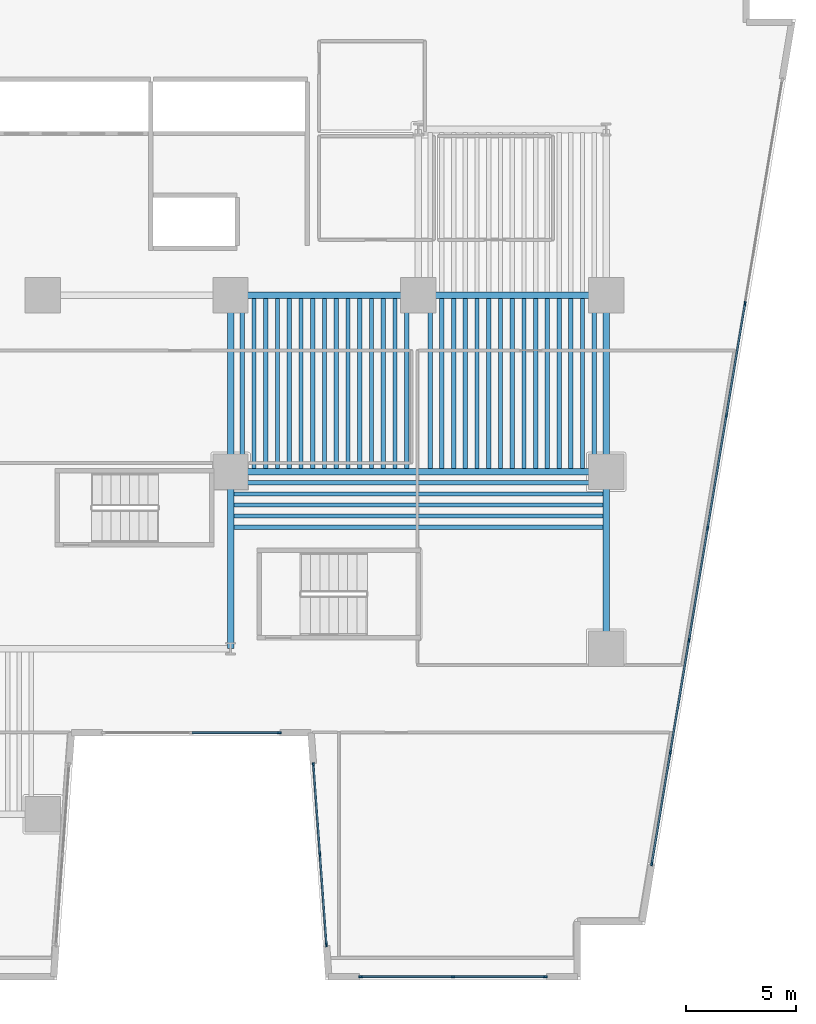
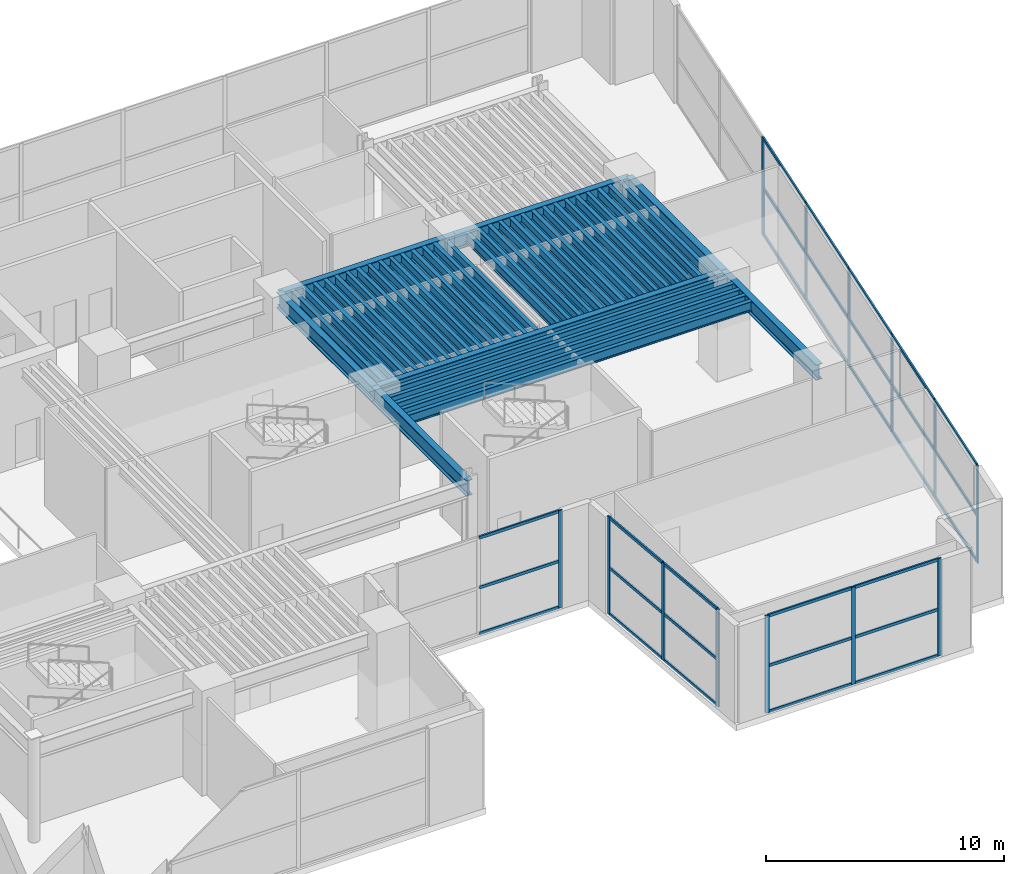
# One storey, part 4 of 16: 43 members, 42 beams, 4 elements without a shape of their own.
"""IFC4 building model written with IfcOpenShell, lengths in metres."""

import ifcopenshell
import ifcopenshell.guid

model = None  # the IFC model being written
_history = None  # IfcOwnerHistory: only IFC2X3 demands one
_inside = {}  # id of a spatial element -> (the spatial element, [elements in it])
_under = {}  # id of a project, library or spatial element -> (it, [spatial elements below it])
_declared = {}  # id of a project -> (the project, [libraries it declares])
_typed = {}  # id of a type object -> (the type object, [elements of that type])
_made_of = {}  # id of a material, layer set ... -> (it, [elements and type objects made of it])


def new_model(schema):
    """Start an empty IFC model of exactly this schema.

    Asked for "IFC4X3", IfcOpenShell would pick the latest addendum, in which some entities
    have other attributes; the version numbers below select the first issue.
    IFC2X3 requires an IfcOwnerHistory on every rooted entity: one is made here for all.
    """
    global model, _history
    if schema == "IFC4X3":
        model = ifcopenshell.file(schema_version=(4, 3, 0, 0))
    else:
        model = ifcopenshell.file(schema=schema)
    _inside.clear()
    _under.clear()
    _declared.clear()
    _typed.clear()
    _made_of.clear()
    _history = None
    if model.schema == "IFC2X3":
        org = make("IfcOrganization", Name="unknown")
        user = make(
            "IfcPersonAndOrganization",
            ThePerson=make("IfcPerson", FamilyName="unknown"),
            TheOrganization=org,
        )
        app = make(
            "IfcApplication",
            ApplicationDeveloper=org,
            Version="unknown",
            ApplicationFullName="unknown",
            ApplicationIdentifier="unknown",
        )
        _history = make(
            "IfcOwnerHistory",
            OwningUser=user,
            OwningApplication=app,
            ChangeAction="ADDED",
            CreationDate=0,
        )
    return model


def make(cls, **values):
    """One entity of the class cls with the attributes given. An attribute that is None is left unset."""
    return model.create_entity(
        cls, **{name: value for name, value in values.items() if value is not None}
    )


def rooted(cls, **values):
    """An entity with a GlobalId (a new one), such as an element, a storey or a relation."""
    return make(cls, GlobalId=ifcopenshell.guid.new(), OwnerHistory=_history, **values)


def si_unit(unit_type, name, prefix=None):
    """IfcSIUnit, for example si_unit("LENGTHUNIT", "METRE", prefix="MILLI")."""
    return make("IfcSIUnit", UnitType=unit_type, Prefix=prefix, Name=name)


def assignment(units):
    """IfcUnitAssignment: the units of a project."""
    return None if units is None else make("IfcUnitAssignment", Units=units)


def point(xyz):
    """IfcCartesianPoint."""
    return None if xyz is None else make("IfcCartesianPoint", Coordinates=xyz)


def direction(xyz):
    """IfcDirection."""
    return None if xyz is None else make("IfcDirection", DirectionRatios=xyz)


def frame(location, z_axis=None, x_axis=None):
    """IfcAxis2Placement3D, a coordinate frame: its origin and axes. An axis left out is left unset."""
    return make(
        "IfcAxis2Placement3D",
        Location=point(location),
        Axis=direction(z_axis),
        RefDirection=direction(x_axis),
    )


def frame_2d(location, x_axis=None):
    """IfcAxis2Placement2D, a coordinate frame in the plane: its origin and x axis."""
    return make(
        "IfcAxis2Placement2D", Location=point(location), RefDirection=direction(x_axis)
    )


def origin():
    """The frame at (0, 0, 0) with its axes left unset."""
    return frame((0.0, 0.0, 0.0))


def origin_2d():
    """The frame at (0, 0) in the plane with its x axis left unset."""
    return frame_2d((0.0, 0.0))


def place(relative_to, where):
    """IfcLocalPlacement: puts the frame where relative to a parent placement (None: the world)."""
    return make(
        "IfcLocalPlacement", PlacementRelTo=relative_to, RelativePlacement=where
    )


def context(
    kind, dimensions, precision=None, world=None, true_north=None, identifier=None
):
    """IfcGeometricRepresentationContext, for example the 3D "Model" context."""
    return make(
        "IfcGeometricRepresentationContext",
        ContextIdentifier=identifier,
        ContextType=kind,
        CoordinateSpaceDimension=dimensions,
        Precision=precision,
        WorldCoordinateSystem=world,
        TrueNorth=true_north,
    )


def subcontext(parent, identifier, kind, view, scale=None):
    """IfcGeometricRepresentationSubContext, for example "Body" below "Model"."""
    return make(
        "IfcGeometricRepresentationSubContext",
        ContextIdentifier=identifier,
        ContextType=kind,
        ParentContext=parent,
        TargetScale=scale,
        TargetView=view,
    )


def project(units=None, contexts=None):
    """IfcProject with its units and contexts."""
    return rooted(
        "IfcProject",
        Name="project",
        RepresentationContexts=contexts,
        UnitsInContext=assignment(units),
    )


def spatial(cls, under=None, at=None, **own):
    """A site, building, storey or space (cls), placed at a placement, below another one or the project."""
    s = rooted(cls, ObjectPlacement=at, **own)
    if under is not None:
        _under.setdefault(under.id(), (under, []))[1].append(s)
    return s


def profile(cls, at=None, kind="AREA", **sizes):
    """A parametric profile (cls). Its sizes go by their IFC names, for example OverallWidth=200.0."""
    return make(cls, ProfileType=kind, Position=at, **sizes)


def rectangle(**sizes):
    """IfcRectangleProfileDef."""
    return profile("IfcRectangleProfileDef", **sizes)


def i_section(**sizes):
    """IfcIShapeProfileDef."""
    return profile("IfcIShapeProfileDef", **sizes)


def extrude(swept, where, along, depth):
    """IfcExtrudedAreaSolid: the profile swept, set in the frame where, extruded along a direction by depth."""
    return make(
        "IfcExtrudedAreaSolid",
        SweptArea=swept,
        Position=where,
        ExtrudedDirection=direction(along),
        Depth=depth,
    )


def shape(context_of_items, identifier, shape_type, items):
    """IfcShapeRepresentation: the items that make up one representation, for example the "Body"."""
    return make(
        "IfcShapeRepresentation",
        ContextOfItems=context_of_items,
        RepresentationIdentifier=identifier,
        RepresentationType=shape_type,
        Items=items,
    )


def material(Name=None, Category=None):
    """IfcMaterial."""
    return make("IfcMaterial", Name=Name, Category=Category)


def layer(
    of_material, thickness, ventilated=None, Name=None, Category=None, Priority=None
):
    """IfcMaterialLayer: one layer of a wall or slab, of a material (None: an air gap)."""
    return make(
        "IfcMaterialLayer",
        Material=of_material,
        LayerThickness=thickness,
        IsVentilated=ventilated,
        Name=Name,
        Category=Category,
        Priority=Priority,
    )


def layer_set(layers, Name=None):
    """IfcMaterialLayerSet."""
    return make("IfcMaterialLayerSet", MaterialLayers=layers, LayerSetName=Name)


def material_profile(
    of_material, cross_section, Name=None, Category=None, Priority=None
):
    """IfcMaterialProfile: a cross section and its material."""
    return make(
        "IfcMaterialProfile",
        Name=Name,
        Material=of_material,
        Profile=cross_section,
        Priority=Priority,
        Category=Category,
    )


def profile_set(profiles, Name=None, composite=None):
    """IfcMaterialProfileSet."""
    return make(
        "IfcMaterialProfileSet",
        Name=Name,
        MaterialProfiles=profiles,
        CompositeProfile=composite,
    )


def made_of(thing, what):
    """Note that an element or type object is made of a material, layer set ...; save() writes the relation."""
    if what is not None:
        _made_of.setdefault(what.id(), (what, []))[1].append(thing)
    return thing


def type_object(cls, material=None, **own):
    """A type object (cls), such as IfcWallType, which elements share."""
    return made_of(rooted(cls, **own), material)


def element(
    cls,
    number,
    at=None,
    inside=None,
    cuts=None,
    type_object=None,
    material=None,
    context=None,
    identifier="Body",
    shape_type=None,
    held_by="IfcProductDefinitionShape",
    body=None,
    shapes=None,
    **own,
):
    """One element of the class cls, such as IfcWall. Its Tag is "e" and its number.

    at: its placement. inside: the storey or other place that contains it. cuts: it is an
    opening in that element (IfcRelVoidsElement). A single representation is given by context,
    identifier, shape_type and body (its items); several are given by shapes. held_by: the class
    of the entity that holds the representations. save() writes the other relations.
    """
    e = rooted(cls, Tag="e%d" % number, ObjectPlacement=at, **own)
    if body is not None:
        shapes = [shape(context, identifier, shape_type, body)]
    if shapes is not None:
        e.Representation = make(held_by, Representations=shapes)
    if inside is not None:
        _inside.setdefault(inside.id(), (inside, []))[1].append(e)
    if cuts is not None:
        rooted(
            "IfcRelVoidsElement", RelatingBuildingElement=cuts, RelatedOpeningElement=e
        )
    if type_object is not None:
        _typed.setdefault(type_object.id(), (type_object, []))[1].append(e)
    return made_of(e, material)


def aggregate(whole, parts):
    """IfcRelAggregates: a whole, such as a stair, and the parts it consists of."""
    return rooted("IfcRelAggregates", RelatingObject=whole, RelatedObjects=parts)


def save(model, path):
    """Write the relations noted so far, then the file.

    IfcRelAggregates (storeys below a building ...), IfcRelContainedInSpatialStructure (elements
    in a storey), IfcRelDefinesByType, IfcRelAssociatesMaterial and IfcRelDeclares: one each for
    every whole, place, type object, material and project.
    """
    for whole, parts in _under.values():
        aggregate(whole, parts)
    for where, things in _inside.values():
        rooted(
            "IfcRelContainedInSpatialStructure",
            RelatedElements=things,
            RelatingStructure=where,
        )
    for kind, things in _typed.values():
        rooted("IfcRelDefinesByType", RelatedObjects=things, RelatingType=kind)
    for what, things in _made_of.values():
        rooted("IfcRelAssociatesMaterial", RelatedObjects=things, RelatingMaterial=what)
    for by, libraries in _declared.values():
        rooted("IfcRelDeclares", RelatingContext=by, RelatedDefinitions=libraries)
    model.write(path)


model = new_model("IFC4")

# Units and contexts
model_context = context("Model", 3, precision=1e-05, world=origin(), true_north=direction((0.0, 1.0)))
body_context = subcontext(model_context, "Body", "Model", "MODEL_VIEW")
ifc_project = project(units=[si_unit("LENGTHUNIT", "METRE"), si_unit("AREAUNIT", "SQUARE_METRE"), si_unit("VOLUMEUNIT", "CUBIC_METRE"), si_unit("PLANEANGLEUNIT", "RADIAN"), si_unit("MASSUNIT", "GRAM", prefix="KILO")], contexts=[model_context])

# Site, building, storey
site_placement = place(None, origin())
site = spatial("IfcSite", under=ifc_project, at=site_placement, CompositionType="ELEMENT")
building_placement = place(site_placement, origin())
building = spatial("IfcBuilding", under=site, at=building_placement, Name="Caeloran Harvest Quay", CompositionType="ELEMENT")
storey_placement = place(building_placement, frame((0.0, 0.0, 16.199951171875)))
storey = spatial("IfcBuildingStorey", under=building, at=storey_placement, Name="L04", CompositionType="ELEMENT", Elevation=16.199951171875)

# Beams
ifc_material_1 = material(Name="Steel S355J2", Category="steel")
ifc_material_profile_1 = material_profile(ifc_material_1, i_section(OverallWidth=0.300048828125, OverallDepth=0.800048828125, WebThickness=0.017578125, FlangeThickness=0.032958984375, FilletRadius=0.030029296875, at=origin_2d()), Name="HE 800 B")
ifc_profile_set_1 = profile_set([ifc_material_profile_1], Name="Steel S355J2")
beam_type_1 = type_object("IfcBeamType", Name="BM-PG-1-HE_800_B", PredefinedType="BEAM", material=ifc_profile_set_1)
beam_placement = place(storey_placement, frame((34.0, 23.0, 4.60009765625), z_axis=(1.0, 0.0, 0.0), x_axis=(0.0, 1.0, 0.0)))
element("IfcBeam", 1, at=beam_placement, inside=storey, type_object=beam_type_1, Name="L04 Primary East-West Girder Y=23.0", PredefinedType="BEAM", context=body_context, shape_type="SweptSolid", body=[
    extrude(i_section(OverallWidth=0.300048828125, OverallDepth=0.800048828125, WebThickness=0.017578125, FlangeThickness=0.032958984375, FilletRadius=0.030029296875, at=origin_2d()), origin(), (0.0, 0.0, 1.0), 17.0),
])
for number, where, z_axis, x_axis, name in (
    (2, (34.0, 31.0, 4.60009765625), (1.0, 0.0, 0.0), (0.0, 1.0, 0.0), "L04 Primary East-West Girder Y=31.0"),
    (3, (42.5, 31.0, 4.60009765625), (1.0, 0.0, 0.0), (0.0, 1.0, 0.0), "L04 Primary East-West Girder Y=31.0"),
):
    element("IfcBeam", number, at=place(storey_placement, frame(where, z_axis=z_axis, x_axis=x_axis)), inside=storey, type_object=beam_type_1, Name=name, PredefinedType="BEAM", context=body_context, shape_type="SweptSolid", body=[
        extrude(i_section(OverallWidth=0.300048828125, OverallDepth=0.800048828125, WebThickness=0.017578125, FlangeThickness=0.032958984375, FilletRadius=0.030029296875, at=origin_2d()), origin(), (0.0, 0.0, 1.0), 8.5),
    ])
for number, where, z_axis, x_axis, name in (
    (4, (34.0, 15.0, 4.60009765625), (0.0, 1.0, 0.0), (-1.0, 0.0, 0.0), "L04 Primary North-South Girder X=34.0"),
    (5, (34.0, 23.0, 4.60009765625), (0.0, 1.0, 0.0), (-1.0, 0.0, 0.0), "L04 Primary North-South Girder X=34.0"),
    (6, (51.0, 15.0, 4.60009765625), (0.0, 1.0, 0.0), (-1.0, 0.0, 0.0), "L04 Primary North-South Girder X=51.0"),
    (7, (51.0, 23.0, 4.60009765625), (0.0, 1.0, 0.0), (-1.0, 0.0, 0.0), "L04 Primary North-South Girder X=51.0"),
):
    element("IfcBeam", number, at=place(storey_placement, frame(where, z_axis=z_axis, x_axis=x_axis)), inside=storey, type_object=beam_type_1, Name=name, PredefinedType="BEAM", context=body_context, shape_type="SweptSolid", body=[
        extrude(i_section(OverallWidth=0.300048828125, OverallDepth=0.800048828125, WebThickness=0.017578125, FlangeThickness=0.032958984375, FilletRadius=0.030029296875, at=origin_2d()), origin(), (0.0, 0.0, 1.0), 8.0),
    ])
ifc_material_profile_2 = material_profile(ifc_material_1, i_section(OverallWidth=0.199951171875, OverallDepth=0.5, WebThickness=0.01025390625, FlangeThickness=0.01611328125, FilletRadius=0.02099609375, at=origin_2d()), Name="IPE 500")
ifc_profile_set_2 = profile_set([ifc_material_profile_2], Name="Steel S355J2")
beam_type_2 = type_object("IfcBeamType", Name="BM-SB-2-IPE_500", PredefinedType="JOIST", material=ifc_profile_set_2)
for number, where, z_axis, x_axis, name in (
    (8, (34.53125, 23.14501953125, 4.75), (0.0, 1.0, 0.0), (-1.0, 0.0, 0.0), "L04 Secondary Composite Joist"),
    (9, (35.59375, 23.14501953125, 4.75), (0.0, 1.0, 0.0), (-1.0, 0.0, 0.0), "L04 Secondary Composite Joist"),
    (10, (36.65625, 23.14501953125, 4.75), (0.0, 1.0, 0.0), (-1.0, 0.0, 0.0), "L04 Secondary Composite Joist"),
    (11, (37.71875, 23.14501953125, 4.75), (0.0, 1.0, 0.0), (-1.0, 0.0, 0.0), "L04 Secondary Composite Joist"),
    (12, (38.78125, 23.14501953125, 4.75), (0.0, 1.0, 0.0), (-1.0, 0.0, 0.0), "L04 Secondary Composite Joist"),
    (13, (39.84375, 23.14501953125, 4.75), (0.0, 1.0, 0.0), (-1.0, 0.0, 0.0), "L04 Secondary Composite Joist"),
    (14, (40.90625, 23.14501953125, 4.75), (0.0, 1.0, 0.0), (-1.0, 0.0, 0.0), "L04 Secondary Composite Joist"),
    (15, (41.96875, 23.14501953125, 4.75), (0.0, 1.0, 0.0), (-1.0, 0.0, 0.0), "L04 Secondary Composite Joist"),
    (16, (43.03125, 23.14501953125, 4.75), (0.0, 1.0, 0.0), (-1.0, 0.0, 0.0), "L04 Secondary Composite Joist"),
    (17, (44.09375, 23.14501953125, 4.75), (0.0, 1.0, 0.0), (-1.0, 0.0, 0.0), "L04 Secondary Composite Joist"),
    (18, (45.15625, 23.14501953125, 4.75), (0.0, 1.0, 0.0), (-1.0, 0.0, 0.0), "L04 Secondary Composite Joist"),
    (19, (46.21875, 23.14501953125, 4.75), (0.0, 1.0, 0.0), (-1.0, 0.0, 0.0), "L04 Secondary Composite Joist"),
    (20, (47.28125, 23.14501953125, 4.75), (0.0, 1.0, 0.0), (-1.0, 0.0, 0.0), "L04 Secondary Composite Joist"),
    (21, (48.34375, 23.14501953125, 4.75), (0.0, 1.0, 0.0), (-1.0, 0.0, 0.0), "L04 Secondary Composite Joist"),
    (22, (49.40625, 23.14501953125, 4.75), (0.0, 1.0, 0.0), (-1.0, 0.0, 0.0), "L04 Secondary Composite Joist"),
    (23, (50.46875, 23.14501953125, 4.75), (0.0, 1.0, 0.0), (-1.0, 0.0, 0.0), "L04 Secondary Composite Joist"),
):
    element("IfcBeam", number, at=place(storey_placement, frame(where, z_axis=z_axis, x_axis=x_axis)), inside=storey, type_object=beam_type_2, Name=name, PredefinedType="JOIST", context=body_context, shape_type="SweptSolid", body=[
        extrude(i_section(OverallWidth=0.199951171875, OverallDepth=0.5, WebThickness=0.01025390625, FlangeThickness=0.01611328125, FilletRadius=0.02099609375, at=origin_2d()), origin(), (0.0, 0.0, 1.0), 7.7099609375),
    ])
for number, where, z_axis, x_axis, name in (
    (24, (34.14501953125, 20.5, 4.75), (1.0, 0.0, 0.0), (0.0, 1.0, 0.0), "L04 Secondary East-West Composite Joist"),
    (25, (34.14501953125, 21.5, 4.75), (1.0, 0.0, 0.0), (0.0, 1.0, 0.0), "L04 Secondary East-West Composite Joist"),
    (26, (34.14501953125, 22.5, 4.75), (1.0, 0.0, 0.0), (0.0, 1.0, 0.0), "L04 Secondary East-West Composite Joist"),
):
    element("IfcBeam", number, at=place(storey_placement, frame(where, z_axis=z_axis, x_axis=x_axis)), inside=storey, type_object=beam_type_2, Name=name, PredefinedType="JOIST", context=body_context, shape_type="SweptSolid", body=[
        extrude(i_section(OverallWidth=0.199951171875, OverallDepth=0.5, WebThickness=0.01025390625, FlangeThickness=0.01611328125, FilletRadius=0.02099609375, at=origin_2d()), origin(), (0.0, 0.0, 1.0), 16.7099609375),
    ])
ifc_material_profile_3 = material_profile(ifc_material_1, i_section(OverallWidth=0.18994140625, OverallDepth=0.449951171875, WebThickness=0.009521484375, FlangeThickness=0.0146484375, FilletRadius=0.02099609375, at=origin_2d()), Name="IPE 450")
ifc_profile_set_3 = profile_set([ifc_material_profile_3], Name="Steel S355J2")
beam_type_3 = type_object("IfcBeamType", Name="BM-SB-3-IPE_450", PredefinedType="JOIST", material=ifc_profile_set_3)
for number, where, z_axis, x_axis, name in (
    (27, (35.0625, 23.14501953125, 4.775146484375), (0.0, 1.0, 0.0), (-1.0, 0.0, 0.0), "L04 Secondary Composite Joist"),
    (28, (36.125, 23.14501953125, 4.775146484375), (0.0, 1.0, 0.0), (-1.0, 0.0, 0.0), "L04 Secondary Composite Joist"),
    (29, (37.1875, 23.14501953125, 4.775146484375), (0.0, 1.0, 0.0), (-1.0, 0.0, 0.0), "L04 Secondary Composite Joist"),
    (30, (38.25, 23.14501953125, 4.775146484375), (0.0, 1.0, 0.0), (-1.0, 0.0, 0.0), "L04 Secondary Composite Joist"),
    (31, (39.3125, 23.14501953125, 4.775146484375), (0.0, 1.0, 0.0), (-1.0, 0.0, 0.0), "L04 Secondary Composite Joist"),
    (32, (40.375, 23.14501953125, 4.775146484375), (0.0, 1.0, 0.0), (-1.0, 0.0, 0.0), "L04 Secondary Composite Joist"),
    (33, (41.4375, 23.14501953125, 4.775146484375), (0.0, 1.0, 0.0), (-1.0, 0.0, 0.0), "L04 Secondary Composite Joist"),
    (34, (43.5625, 23.14501953125, 4.775146484375), (0.0, 1.0, 0.0), (-1.0, 0.0, 0.0), "L04 Secondary Composite Joist"),
    (35, (44.625, 23.14501953125, 4.775146484375), (0.0, 1.0, 0.0), (-1.0, 0.0, 0.0), "L04 Secondary Composite Joist"),
    (36, (45.6875, 23.14501953125, 4.775146484375), (0.0, 1.0, 0.0), (-1.0, 0.0, 0.0), "L04 Secondary Composite Joist"),
    (37, (46.75, 23.14501953125, 4.775146484375), (0.0, 1.0, 0.0), (-1.0, 0.0, 0.0), "L04 Secondary Composite Joist"),
    (38, (47.8125, 23.14501953125, 4.775146484375), (0.0, 1.0, 0.0), (-1.0, 0.0, 0.0), "L04 Secondary Composite Joist"),
    (39, (48.875, 23.14501953125, 4.775146484375), (0.0, 1.0, 0.0), (-1.0, 0.0, 0.0), "L04 Secondary Composite Joist"),
    (40, (49.9375, 23.14501953125, 4.775146484375), (0.0, 1.0, 0.0), (-1.0, 0.0, 0.0), "L04 Secondary Composite Joist"),
):
    element("IfcBeam", number, at=place(storey_placement, frame(where, z_axis=z_axis, x_axis=x_axis)), inside=storey, type_object=beam_type_3, Name=name, PredefinedType="JOIST", context=body_context, shape_type="SweptSolid", body=[
        extrude(i_section(OverallWidth=0.18994140625, OverallDepth=0.449951171875, WebThickness=0.009521484375, FlangeThickness=0.0146484375, FilletRadius=0.02099609375, at=origin_2d()), origin(), (0.0, 0.0, 1.0), 7.7099609375),
    ])
for number, where, z_axis, x_axis, name in (
    (41, (34.14501953125, 21.0, 4.775146484375), (1.0, 0.0, 0.0), (0.0, 1.0, 0.0), "L04 Secondary East-West Composite Joist"),
    (42, (34.14501953125, 22.0, 4.775146484375), (1.0, 0.0, 0.0), (0.0, 1.0, 0.0), "L04 Secondary East-West Composite Joist"),
):
    element("IfcBeam", number, at=place(storey_placement, frame(where, z_axis=z_axis, x_axis=x_axis)), inside=storey, type_object=beam_type_3, Name=name, PredefinedType="JOIST", context=body_context, shape_type="SweptSolid", body=[
        extrude(i_section(OverallWidth=0.18994140625, OverallDepth=0.449951171875, WebThickness=0.009521484375, FlangeThickness=0.0146484375, FilletRadius=0.02099609375, at=origin_2d()), origin(), (0.0, 0.0, 1.0), 16.7099609375),
    ])

# Curtain wall, members
ifc_material_2 = material(Name="Aluminium 6063-T6 and Low-E Glazing", Category="aluminium")
ifc_layer = layer(ifc_material_2, 0.179931640625, Name="Aluminium 6063-T6 and Low-E Glazing")
ifc_layer_set = layer_set([ifc_layer], Name="Aluminium 6063-T6 and Low-E Glazing")
curtain_wall_type = type_object("IfcCurtainWallType", Name="CW-SYS-CW-1", PredefinedType="USERDEFINED", material=ifc_layer_set)
curtain_wall_1_placement = place(storey_placement, origin())
curtain_wall_1 = element("IfcCurtainWall", 43, at=curtain_wall_1_placement, inside=storey, type_object=curtain_wall_type, Name="L04 Unitised Curtain Wall CW-1 Run 9", ObjectType="CURTAIN_WALL", PredefinedType="USERDEFINED")
ifc_material_3 = material(Name="Aluminium 6063-T6", Category="aluminium")
ifc_material_profile_4 = material_profile(ifc_material_3, rectangle(XDim=0.080078125, YDim=0.179931640625, at=origin_2d()), Name="CW-MULLION-180")
ifc_profile_set_4 = profile_set([ifc_material_profile_4], Name="Aluminium 6063-T6")
member_type_1 = type_object("IfcMemberType", Name="CW-MULLION-180", PredefinedType="MULLION", material=ifc_profile_set_4)
member_1_placement = place(storey_placement, frame((57.28857421875, 30.622314453125, 0.0), z_axis=(0.0, 0.0, 1.0), x_axis=(0.986431373404, -0.164174131837, 0.0)))
member_1 = element("IfcMember", 44, at=member_1_placement, type_object=member_type_1, Name="CW-1 mullion 3", PredefinedType="MULLION", context=body_context, shape_type="SweptSolid", body=[
    extrude(rectangle(XDim=0.080078125, YDim=0.179931640625, at=origin_2d()), origin(), (0.0, 0.0, 1.0), 5.0),
])
member_2_placement = place(storey_placement, frame((56.44287109375, 25.540771484375, 0.0), z_axis=(0.0, 0.0, 1.0), x_axis=(0.986431373404, -0.164174131837, 0.0)))
member_2 = element("IfcMember", 45, at=member_2_placement, type_object=member_type_1, Name="CW-1 mullion 4", PredefinedType="MULLION", context=body_context, shape_type="SweptSolid", body=[
    extrude(rectangle(XDim=0.080078125, YDim=0.179931640625, at=origin_2d()), origin(), (0.0, 0.0, 1.0), 5.0),
])
member_3_placement = place(storey_placement, frame((55.59716796875, 20.459228515625, 0.0), z_axis=(0.0, 0.0, 1.0), x_axis=(0.986431373404, -0.164174131837, 0.0)))
member_3 = element("IfcMember", 46, at=member_3_placement, type_object=member_type_1, Name="CW-1 mullion 5", PredefinedType="MULLION", context=body_context, shape_type="SweptSolid", body=[
    extrude(rectangle(XDim=0.080078125, YDim=0.179931640625, at=origin_2d()), origin(), (0.0, 0.0, 1.0), 5.0),
])
member_4_placement = place(storey_placement, frame((54.75146484375, 15.377685546875, 0.0), z_axis=(0.0, 0.0, 1.0), x_axis=(0.986431373404, -0.164174131837, 0.0)))
member_4 = element("IfcMember", 47, at=member_4_placement, type_object=member_type_1, Name="CW-1 mullion 6", PredefinedType="MULLION", context=body_context, shape_type="SweptSolid", body=[
    extrude(rectangle(XDim=0.080078125, YDim=0.179931640625, at=origin_2d()), origin(), (0.0, 0.0, 1.0), 5.0),
])
member_5_placement = place(storey_placement, frame((53.905517578125, 10.296142578125, 0.0), z_axis=(0.0, 0.0, 1.0), x_axis=(0.986431373404, -0.164174131837, 0.0)))
member_5 = element("IfcMember", 48, at=member_5_placement, type_object=member_type_1, Name="CW-1 mullion 7", PredefinedType="MULLION", context=body_context, shape_type="SweptSolid", body=[
    extrude(rectangle(XDim=0.080078125, YDim=0.179931640625, at=origin_2d()), origin(), (0.0, 0.0, 1.0), 5.0),
])
member_6_placement = place(storey_placement, frame((53.06640625, 5.254150390625, 0.0), z_axis=(0.0, 0.0, 1.0), x_axis=(0.986431373404, -0.164174131837, 0.0)))
member_6 = element("IfcMember", 49, at=member_6_placement, type_object=member_type_1, Name="CW-1 mullion 8", PredefinedType="MULLION", context=body_context, shape_type="SweptSolid", body=[
    extrude(rectangle(XDim=0.080078125, YDim=0.179931640625, at=origin_2d()), origin(), (0.0, 0.0, 1.0), 5.0),
])

curtain_wall_2_placement = place(storey_placement, origin())
curtain_wall_2 = element("IfcCurtainWall", 50, at=curtain_wall_2_placement, inside=storey, type_object=curtain_wall_type, Name="L04 Unitised Curtain Wall CW-1 Run 12", ObjectType="CURTAIN_WALL", PredefinedType="USERDEFINED")
member_7_placement = place(storey_placement, frame((48.25390625, 0.14990234375, 0.0), z_axis=(0.0, 0.0, 1.0), x_axis=(0.0, -1.0, 0.0)))
member_7 = element("IfcMember", 51, at=member_7_placement, type_object=member_type_1, Name="CW-1 mullion 1", PredefinedType="MULLION", context=body_context, shape_type="SweptSolid", body=[
    extrude(rectangle(XDim=0.080078125, YDim=0.179931640625, at=origin_2d()), origin(), (0.0, 0.0, 1.0), 5.0),
])
member_8_placement = place(storey_placement, frame((44.06884765625, 0.14990234375, 0.0), z_axis=(0.0, 0.0, 1.0), x_axis=(0.0, -1.0, 0.0)))
member_8 = element("IfcMember", 52, at=member_8_placement, type_object=member_type_1, Name="CW-1 mullion 2", PredefinedType="MULLION", context=body_context, shape_type="SweptSolid", body=[
    extrude(rectangle(XDim=0.080078125, YDim=0.179931640625, at=origin_2d()), origin(), (0.0, 0.0, 1.0), 5.0),
])
member_9_placement = place(storey_placement, frame((39.883544921875, 0.14990234375, 0.0), z_axis=(0.0, 0.0, 1.0), x_axis=(0.0, -1.0, 0.0)))
member_9 = element("IfcMember", 53, at=member_9_placement, type_object=member_type_1, Name="CW-1 mullion 3", PredefinedType="MULLION", context=body_context, shape_type="SweptSolid", body=[
    extrude(rectangle(XDim=0.080078125, YDim=0.179931640625, at=origin_2d()), origin(), (0.0, 0.0, 1.0), 5.0),
])

curtain_wall_3_placement = place(storey_placement, origin())
curtain_wall_3 = element("IfcCurtainWall", 54, at=curtain_wall_3_placement, inside=storey, type_object=curtain_wall_type, Name="L04 Unitised Curtain Wall CW-1 Run 13", ObjectType="CURTAIN_WALL", PredefinedType="USERDEFINED")
member_10_placement = place(storey_placement, frame((38.33935546875, 1.586181640625, 0.0), z_axis=(0.0, 0.0, 1.0), x_axis=(-0.997385061295, -0.072270599173, 0.0)))
member_10 = element("IfcMember", 55, at=member_10_placement, type_object=member_type_1, Name="CW-1 mullion 1", PredefinedType="MULLION", context=body_context, shape_type="SweptSolid", body=[
    extrude(rectangle(XDim=0.080078125, YDim=0.179931640625, at=origin_2d()), origin(), (0.0, 0.0, 1.0), 5.0),
])
member_11_placement = place(storey_placement, frame((38.04345703125, 5.669921875, 0.0), z_axis=(0.0, 0.0, 1.0), x_axis=(-0.997385061295, -0.072270599173, 0.0)))
member_11 = element("IfcMember", 56, at=member_11_placement, type_object=member_type_1, Name="CW-1 mullion 2", PredefinedType="MULLION", context=body_context, shape_type="SweptSolid", body=[
    extrude(rectangle(XDim=0.080078125, YDim=0.179931640625, at=origin_2d()), origin(), (0.0, 0.0, 1.0), 5.0),
])
member_12_placement = place(storey_placement, frame((37.74755859375, 9.753662109375, 0.0), z_axis=(0.0, 0.0, 1.0), x_axis=(-0.997385061295, -0.072270599173, 0.0)))
member_12 = element("IfcMember", 57, at=member_12_placement, type_object=member_type_1, Name="CW-1 mullion 3", PredefinedType="MULLION", context=body_context, shape_type="SweptSolid", body=[
    extrude(rectangle(XDim=0.080078125, YDim=0.179931640625, at=origin_2d()), origin(), (0.0, 0.0, 1.0), 5.0),
])

# Curtain wall, member
curtain_wall_4_placement = place(storey_placement, origin())
curtain_wall_4 = element("IfcCurtainWall", 58, at=curtain_wall_4_placement, inside=storey, type_object=curtain_wall_type, Name="L04 Unitised Curtain Wall CW-1 Run 14", ObjectType="CURTAIN_WALL", PredefinedType="USERDEFINED")
member_13_placement = place(storey_placement, frame((36.20361328125, 11.18994140625, 0.0), z_axis=(0.0, 0.0, 1.0), x_axis=(0.0, -1.0, 0.0)))
member_13 = element("IfcMember", 59, at=member_13_placement, type_object=member_type_1, Name="CW-1 mullion 1", PredefinedType="MULLION", context=body_context, shape_type="SweptSolid", body=[
    extrude(rectangle(XDim=0.080078125, YDim=0.179931640625, at=origin_2d()), origin(), (0.0, 0.0, 1.0), 5.0),
])

# Member
ifc_material_profile_5 = material_profile(ifc_material_3, rectangle(XDim=0.080078125, YDim=0.14990234375, at=origin_2d()), Name="CW-TRANSOM-150")
ifc_profile_set_5 = profile_set([ifc_material_profile_5], Name="Aluminium 6063-T6")
member_type_2 = type_object("IfcMemberType", Name="CW-TRANSOM-150", PredefinedType="USERDEFINED", material=ifc_profile_set_5)
member_14_placement = place(storey_placement, frame((57.281982421875, 30.582763671875, 0.0400390625), z_axis=(-0.164164777552, -0.986432930214, 0.0), x_axis=(0.986432930214, -0.164164777552, 0.0)))
member_14 = element("IfcMember", 60, at=member_14_placement, type_object=member_type_2, Name="CW-1 transom 3.1", ObjectType="TRANSOM", PredefinedType="USERDEFINED", context=body_context, shape_type="SweptSolid", body=[
    extrude(rectangle(XDim=0.080078125, YDim=0.14990234375, at=origin_2d()), origin(), (0.0, 0.0, 1.0), 5.0712890625),
])

member_15_placement = place(storey_placement, frame((57.281982421875, 30.582763671875, 2.400146484375), z_axis=(-0.164164777552, -0.986432930214, 0.0), x_axis=(0.986432930214, -0.164164777552, 0.0)))
member_15 = element("IfcMember", 61, at=member_15_placement, type_object=member_type_2, Name="CW-1 transom 3.2", ObjectType="TRANSOM", PredefinedType="USERDEFINED", context=body_context, shape_type="SweptSolid", body=[
    extrude(rectangle(XDim=0.080078125, YDim=0.14990234375, at=origin_2d()), origin(), (0.0, 0.0, 1.0), 5.0712890625),
])

member_16_placement = place(storey_placement, frame((57.281982421875, 30.582763671875, 4.9599609375), z_axis=(-0.164164777552, -0.986432930214, 0.0), x_axis=(0.986432930214, -0.164164777552, 0.0)))
member_16 = element("IfcMember", 62, at=member_16_placement, type_object=member_type_2, Name="CW-1 transom 3.3", ObjectType="TRANSOM", PredefinedType="USERDEFINED", context=body_context, shape_type="SweptSolid", body=[
    extrude(rectangle(XDim=0.080078125, YDim=0.14990234375, at=origin_2d()), origin(), (0.0, 0.0, 1.0), 5.0712890625),
])

member_17_placement = place(storey_placement, frame((56.436279296875, 25.501220703125, 0.0400390625), z_axis=(-0.164164777552, -0.986432930214, 0.0), x_axis=(0.986432930214, -0.164164777552, 0.0)))
member_17 = element("IfcMember", 63, at=member_17_placement, type_object=member_type_2, Name="CW-1 transom 4.1", ObjectType="TRANSOM", PredefinedType="USERDEFINED", context=body_context, shape_type="SweptSolid", body=[
    extrude(rectangle(XDim=0.080078125, YDim=0.14990234375, at=origin_2d()), origin(), (0.0, 0.0, 1.0), 5.0712890625),
])

member_18_placement = place(storey_placement, frame((56.436279296875, 25.501220703125, 2.400146484375), z_axis=(-0.164164777552, -0.986432930214, 0.0), x_axis=(0.986432930214, -0.164164777552, 0.0)))
member_18 = element("IfcMember", 64, at=member_18_placement, type_object=member_type_2, Name="CW-1 transom 4.2", ObjectType="TRANSOM", PredefinedType="USERDEFINED", context=body_context, shape_type="SweptSolid", body=[
    extrude(rectangle(XDim=0.080078125, YDim=0.14990234375, at=origin_2d()), origin(), (0.0, 0.0, 1.0), 5.0712890625),
])

member_19_placement = place(storey_placement, frame((56.436279296875, 25.501220703125, 4.9599609375), z_axis=(-0.164164777552, -0.986432930214, 0.0), x_axis=(0.986432930214, -0.164164777552, 0.0)))
member_19 = element("IfcMember", 65, at=member_19_placement, type_object=member_type_2, Name="CW-1 transom 4.3", ObjectType="TRANSOM", PredefinedType="USERDEFINED", context=body_context, shape_type="SweptSolid", body=[
    extrude(rectangle(XDim=0.080078125, YDim=0.14990234375, at=origin_2d()), origin(), (0.0, 0.0, 1.0), 5.0712890625),
])

member_20_placement = place(storey_placement, frame((55.590576171875, 20.419677734375, 0.0400390625), z_axis=(-0.164211621725, -0.98642513314, 0.0), x_axis=(0.98642513314, -0.164211621725, 0.0)))
member_20 = element("IfcMember", 66, at=member_20_placement, type_object=member_type_2, Name="CW-1 transom 5.1", ObjectType="TRANSOM", PredefinedType="USERDEFINED", context=body_context, shape_type="SweptSolid", body=[
    extrude(rectangle(XDim=0.080078125, YDim=0.14990234375, at=origin_2d()), origin(), (0.0, 0.0, 1.0), 5.0712890625),
])

member_21_placement = place(storey_placement, frame((55.590576171875, 20.419677734375, 2.400146484375), z_axis=(-0.164211621725, -0.98642513314, 0.0), x_axis=(0.98642513314, -0.164211621725, 0.0)))
member_21 = element("IfcMember", 67, at=member_21_placement, type_object=member_type_2, Name="CW-1 transom 5.2", ObjectType="TRANSOM", PredefinedType="USERDEFINED", context=body_context, shape_type="SweptSolid", body=[
    extrude(rectangle(XDim=0.080078125, YDim=0.14990234375, at=origin_2d()), origin(), (0.0, 0.0, 1.0), 5.0712890625),
])

member_22_placement = place(storey_placement, frame((55.590576171875, 20.419677734375, 4.9599609375), z_axis=(-0.164211621725, -0.98642513314, 0.0), x_axis=(0.98642513314, -0.164211621725, 0.0)))
member_22 = element("IfcMember", 68, at=member_22_placement, type_object=member_type_2, Name="CW-1 transom 5.3", ObjectType="TRANSOM", PredefinedType="USERDEFINED", context=body_context, shape_type="SweptSolid", body=[
    extrude(rectangle(XDim=0.080078125, YDim=0.14990234375, at=origin_2d()), origin(), (0.0, 0.0, 1.0), 5.0712890625),
])

member_23_placement = place(storey_placement, frame((54.744873046875, 15.33837890625, 0.0400390625), z_axis=(-0.164203823965, -0.986426431213, 0.0), x_axis=(0.986426431213, -0.164203823965, 0.0)))
member_23 = element("IfcMember", 69, at=member_23_placement, type_object=member_type_2, Name="CW-1 transom 6.1", ObjectType="TRANSOM", PredefinedType="USERDEFINED", context=body_context, shape_type="SweptSolid", body=[
    extrude(rectangle(XDim=0.080078125, YDim=0.14990234375, at=origin_2d()), origin(), (0.0, 0.0, 1.0), 5.071533203125),
])

member_24_placement = place(storey_placement, frame((54.744873046875, 15.33837890625, 2.400146484375), z_axis=(-0.164203823965, -0.986426431213, 0.0), x_axis=(0.986426431213, -0.164203823965, 0.0)))
member_24 = element("IfcMember", 70, at=member_24_placement, type_object=member_type_2, Name="CW-1 transom 6.2", ObjectType="TRANSOM", PredefinedType="USERDEFINED", context=body_context, shape_type="SweptSolid", body=[
    extrude(rectangle(XDim=0.080078125, YDim=0.14990234375, at=origin_2d()), origin(), (0.0, 0.0, 1.0), 5.071533203125),
])

member_25_placement = place(storey_placement, frame((54.744873046875, 15.33837890625, 4.9599609375), z_axis=(-0.164203823965, -0.986426431213, 0.0), x_axis=(0.986426431213, -0.164203823965, 0.0)))
member_25 = element("IfcMember", 71, at=member_25_placement, type_object=member_type_2, Name="CW-1 transom 6.3", ObjectType="TRANSOM", PredefinedType="USERDEFINED", context=body_context, shape_type="SweptSolid", body=[
    extrude(rectangle(XDim=0.080078125, YDim=0.14990234375, at=origin_2d()), origin(), (0.0, 0.0, 1.0), 5.071533203125),
])

member_26_placement = place(storey_placement, frame((53.899169921875, 10.2568359375, 0.0400390625), z_axis=(-0.164202268648, -0.986426690115, 0.0), x_axis=(0.986426690115, -0.164202268648, 0.0)))
member_26 = element("IfcMember", 72, at=member_26_placement, type_object=member_type_2, Name="CW-1 transom 7.1", ObjectType="TRANSOM", PredefinedType="USERDEFINED", context=body_context, shape_type="SweptSolid", body=[
    extrude(rectangle(XDim=0.080078125, YDim=0.14990234375, at=origin_2d()), origin(), (0.0, 0.0, 1.0), 5.031494140625),
])

member_27_placement = place(storey_placement, frame((53.899169921875, 10.2568359375, 2.400146484375), z_axis=(-0.164202268648, -0.986426690115, 0.0), x_axis=(0.986426690115, -0.164202268648, 0.0)))
member_27 = element("IfcMember", 73, at=member_27_placement, type_object=member_type_2, Name="CW-1 transom 7.2", ObjectType="TRANSOM", PredefinedType="USERDEFINED", context=body_context, shape_type="SweptSolid", body=[
    extrude(rectangle(XDim=0.080078125, YDim=0.14990234375, at=origin_2d()), origin(), (0.0, 0.0, 1.0), 5.031494140625),
])

member_28_placement = place(storey_placement, frame((53.899169921875, 10.2568359375, 4.9599609375), z_axis=(-0.164202268648, -0.986426690115, 0.0), x_axis=(0.986426690115, -0.164202268648, 0.0)))
member_28 = element("IfcMember", 74, at=member_28_placement, type_object=member_type_2, Name="CW-1 transom 7.3", ObjectType="TRANSOM", PredefinedType="USERDEFINED", context=body_context, shape_type="SweptSolid", body=[
    extrude(rectangle(XDim=0.080078125, YDim=0.14990234375, at=origin_2d()), origin(), (0.0, 0.0, 1.0), 5.031494140625),
])

aggregate(curtain_wall_1, [member_1, member_2, member_3, member_4, member_5, member_6, member_14, member_15, member_16, member_17, member_18, member_19, member_20, member_21, member_22, member_23, member_24, member_25, member_26, member_27, member_28])

member_29_placement = place(storey_placement, frame((48.214111328125, 0.14990234375, 0.0400390625), z_axis=(-1.0, 0.0, 0.0), x_axis=(0.0, -1.0, 0.0)))
member_29 = element("IfcMember", 75, at=member_29_placement, type_object=member_type_2, Name="CW-1 transom 1.1", ObjectType="TRANSOM", PredefinedType="USERDEFINED", context=body_context, shape_type="SweptSolid", body=[
    extrude(rectangle(XDim=0.080078125, YDim=0.14990234375, at=origin_2d()), origin(), (0.0, 0.0, 1.0), 4.10546875),
])

member_30_placement = place(storey_placement, frame((48.214111328125, 0.14990234375, 2.400146484375), z_axis=(-1.0, 0.0, 0.0), x_axis=(0.0, -1.0, 0.0)))
member_30 = element("IfcMember", 76, at=member_30_placement, type_object=member_type_2, Name="CW-1 transom 1.2", ObjectType="TRANSOM", PredefinedType="USERDEFINED", context=body_context, shape_type="SweptSolid", body=[
    extrude(rectangle(XDim=0.080078125, YDim=0.14990234375, at=origin_2d()), origin(), (0.0, 0.0, 1.0), 4.10546875),
])

member_31_placement = place(storey_placement, frame((48.214111328125, 0.14990234375, 4.9599609375), z_axis=(-1.0, 0.0, 0.0), x_axis=(0.0, -1.0, 0.0)))
member_31 = element("IfcMember", 77, at=member_31_placement, type_object=member_type_2, Name="CW-1 transom 1.3", ObjectType="TRANSOM", PredefinedType="USERDEFINED", context=body_context, shape_type="SweptSolid", body=[
    extrude(rectangle(XDim=0.080078125, YDim=0.14990234375, at=origin_2d()), origin(), (0.0, 0.0, 1.0), 4.10546875),
])

member_32_placement = place(storey_placement, frame((44.02880859375, 0.14990234375, 0.0400390625), z_axis=(-1.0, 0.0, 0.0), x_axis=(0.0, -1.0, 0.0)))
member_32 = element("IfcMember", 78, at=member_32_placement, type_object=member_type_2, Name="CW-1 transom 2.1", ObjectType="TRANSOM", PredefinedType="USERDEFINED", context=body_context, shape_type="SweptSolid", body=[
    extrude(rectangle(XDim=0.080078125, YDim=0.14990234375, at=origin_2d()), origin(), (0.0, 0.0, 1.0), 4.105224609375),
])

member_33_placement = place(storey_placement, frame((44.02880859375, 0.14990234375, 2.400146484375), z_axis=(-1.0, 0.0, 0.0), x_axis=(0.0, -1.0, 0.0)))
member_33 = element("IfcMember", 79, at=member_33_placement, type_object=member_type_2, Name="CW-1 transom 2.2", ObjectType="TRANSOM", PredefinedType="USERDEFINED", context=body_context, shape_type="SweptSolid", body=[
    extrude(rectangle(XDim=0.080078125, YDim=0.14990234375, at=origin_2d()), origin(), (0.0, 0.0, 1.0), 4.105224609375),
])

member_34_placement = place(storey_placement, frame((44.02880859375, 0.14990234375, 4.9599609375), z_axis=(-1.0, 0.0, 0.0), x_axis=(0.0, -1.0, 0.0)))
member_34 = element("IfcMember", 80, at=member_34_placement, type_object=member_type_2, Name="CW-1 transom 2.3", ObjectType="TRANSOM", PredefinedType="USERDEFINED", context=body_context, shape_type="SweptSolid", body=[
    extrude(rectangle(XDim=0.080078125, YDim=0.14990234375, at=origin_2d()), origin(), (0.0, 0.0, 1.0), 4.105224609375),
])

aggregate(curtain_wall_2, [member_7, member_8, member_9, member_29, member_30, member_31, member_32, member_33, member_34])

member_35_placement = place(storey_placement, frame((38.33642578125, 1.6259765625, 0.0400390625), z_axis=(-0.072245328201, 0.99738689211, 0.0), x_axis=(-0.99738689211, -0.072245328201, 0.0)))
member_35 = element("IfcMember", 81, at=member_35_placement, type_object=member_type_2, Name="CW-1 transom 1.1", ObjectType="TRANSOM", PredefinedType="USERDEFINED", context=body_context, shape_type="SweptSolid", body=[
    extrude(rectangle(XDim=0.080078125, YDim=0.14990234375, at=origin_2d()), origin(), (0.0, 0.0, 1.0), 4.0146484375),
])

member_36_placement = place(storey_placement, frame((38.33642578125, 1.6259765625, 2.400146484375), z_axis=(-0.072245328201, 0.99738689211, 0.0), x_axis=(-0.99738689211, -0.072245328201, 0.0)))
member_36 = element("IfcMember", 82, at=member_36_placement, type_object=member_type_2, Name="CW-1 transom 1.2", ObjectType="TRANSOM", PredefinedType="USERDEFINED", context=body_context, shape_type="SweptSolid", body=[
    extrude(rectangle(XDim=0.080078125, YDim=0.14990234375, at=origin_2d()), origin(), (0.0, 0.0, 1.0), 4.0146484375),
])

member_37_placement = place(storey_placement, frame((38.33642578125, 1.6259765625, 4.9599609375), z_axis=(-0.072245328201, 0.99738689211, 0.0), x_axis=(-0.99738689211, -0.072245328201, 0.0)))
member_37 = element("IfcMember", 83, at=member_37_placement, type_object=member_type_2, Name="CW-1 transom 1.3", ObjectType="TRANSOM", PredefinedType="USERDEFINED", context=body_context, shape_type="SweptSolid", body=[
    extrude(rectangle(XDim=0.080078125, YDim=0.14990234375, at=origin_2d()), origin(), (0.0, 0.0, 1.0), 4.0146484375),
])

member_38_placement = place(storey_placement, frame((38.04052734375, 5.7099609375, 0.0400390625), z_axis=(-0.07224971041, 0.997386574677, 0.0), x_axis=(-0.997386574677, -0.07224971041, 0.0)))
member_38 = element("IfcMember", 84, at=member_38_placement, type_object=member_type_2, Name="CW-1 transom 2.1", ObjectType="TRANSOM", PredefinedType="USERDEFINED", context=body_context, shape_type="SweptSolid", body=[
    extrude(rectangle(XDim=0.080078125, YDim=0.14990234375, at=origin_2d()), origin(), (0.0, 0.0, 1.0), 4.014404296875),
])

member_39_placement = place(storey_placement, frame((38.04052734375, 5.7099609375, 2.400146484375), z_axis=(-0.07224971041, 0.997386574677, 0.0), x_axis=(-0.997386574677, -0.07224971041, 0.0)))
member_39 = element("IfcMember", 85, at=member_39_placement, type_object=member_type_2, Name="CW-1 transom 2.2", ObjectType="TRANSOM", PredefinedType="USERDEFINED", context=body_context, shape_type="SweptSolid", body=[
    extrude(rectangle(XDim=0.080078125, YDim=0.14990234375, at=origin_2d()), origin(), (0.0, 0.0, 1.0), 4.014404296875),
])

member_40_placement = place(storey_placement, frame((38.04052734375, 5.7099609375, 4.9599609375), z_axis=(-0.07224971041, 0.997386574677, 0.0), x_axis=(-0.997386574677, -0.07224971041, 0.0)))
member_40 = element("IfcMember", 86, at=member_40_placement, type_object=member_type_2, Name="CW-1 transom 2.3", ObjectType="TRANSOM", PredefinedType="USERDEFINED", context=body_context, shape_type="SweptSolid", body=[
    extrude(rectangle(XDim=0.080078125, YDim=0.14990234375, at=origin_2d()), origin(), (0.0, 0.0, 1.0), 4.014404296875),
])

aggregate(curtain_wall_3, [member_10, member_11, member_12, member_35, member_36, member_37, member_38, member_39, member_40])

member_41_placement = place(storey_placement, frame((36.16357421875, 11.18994140625, 0.0400390625), z_axis=(-1.0, 0.0, 0.0), x_axis=(0.0, -1.0, 0.0)))
member_41 = element("IfcMember", 87, at=member_41_placement, type_object=member_type_2, Name="CW-1 transom 1.1", ObjectType="TRANSOM", PredefinedType="USERDEFINED", context=body_context, shape_type="SweptSolid", body=[
    extrude(rectangle(XDim=0.080078125, YDim=0.14990234375, at=origin_2d()), origin(), (0.0, 0.0, 1.0), 3.903564453125),
])

member_42_placement = place(storey_placement, frame((36.16357421875, 11.18994140625, 2.400146484375), z_axis=(-1.0, 0.0, 0.0), x_axis=(0.0, -1.0, 0.0)))
member_42 = element("IfcMember", 88, at=member_42_placement, type_object=member_type_2, Name="CW-1 transom 1.2", ObjectType="TRANSOM", PredefinedType="USERDEFINED", context=body_context, shape_type="SweptSolid", body=[
    extrude(rectangle(XDim=0.080078125, YDim=0.14990234375, at=origin_2d()), origin(), (0.0, 0.0, 1.0), 3.903564453125),
])

member_43_placement = place(storey_placement, frame((36.16357421875, 11.18994140625, 4.9599609375), z_axis=(-1.0, 0.0, 0.0), x_axis=(0.0, -1.0, 0.0)))
member_43 = element("IfcMember", 89, at=member_43_placement, type_object=member_type_2, Name="CW-1 transom 1.3", ObjectType="TRANSOM", PredefinedType="USERDEFINED", context=body_context, shape_type="SweptSolid", body=[
    extrude(rectangle(XDim=0.080078125, YDim=0.14990234375, at=origin_2d()), origin(), (0.0, 0.0, 1.0), 3.903564453125),
])

aggregate(curtain_wall_4, [member_13, member_41, member_42, member_43])

save(model, "model.ifc")
